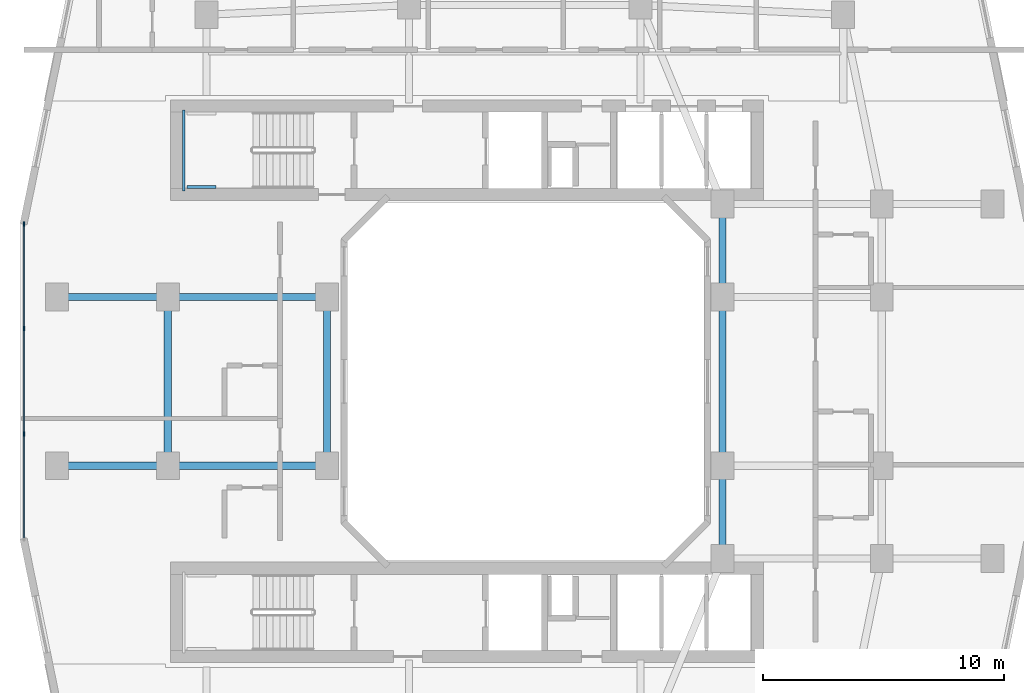
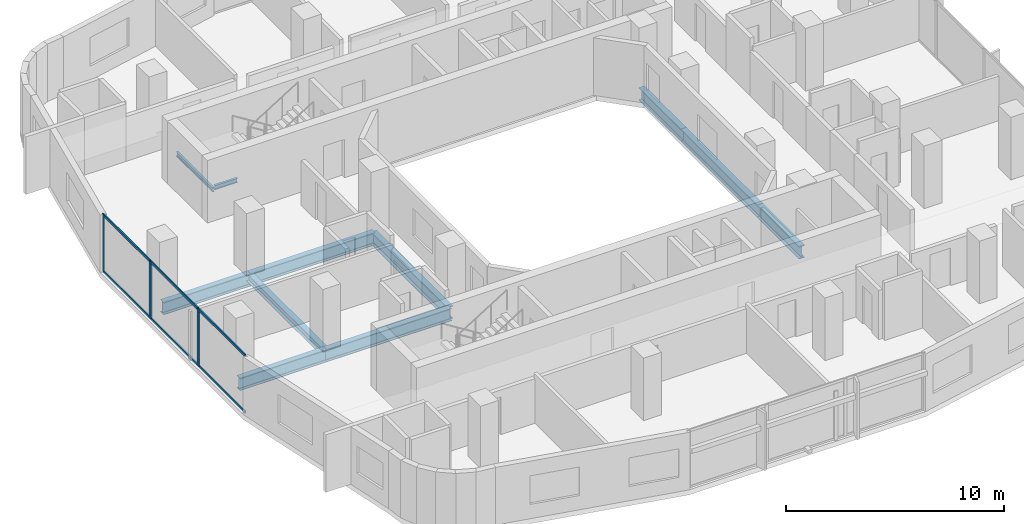
# One storey, part 3 of 27: 11 beams, 9 members, 1 element without a shape of its own.
"""IFC4 building model written with IfcOpenShell, lengths in metres."""

from ifc_helpers import new_model, si_unit, derived_unit, direction, frame, origin, origin_2d, place, context, subcontext, project, spatial, rectangle, i_section, extrude, material, layer, layer_set, material_profile, profile_set, type_object, element, aggregate, save


model = new_model("IFC4")

# Units and contexts
model_context = context("Model", 3, precision=1e-05, world=origin(), true_north=direction((0.0, 1.0)))
body_context = subcontext(model_context, "Body", "Model", "MODEL_VIEW")
ifc_project = project(units=[si_unit("LENGTHUNIT", "METRE"), si_unit("AREAUNIT", "SQUARE_METRE"), si_unit("VOLUMEUNIT", "CUBIC_METRE"), si_unit("PLANEANGLEUNIT", "RADIAN"), si_unit("MASSUNIT", "GRAM", prefix="KILO"), derived_unit("THERMALTRANSMITTANCEUNIT", [(si_unit("POWERUNIT", "WATT"), 1), (si_unit("LENGTHUNIT", "METRE"), -2), (si_unit("THERMODYNAMICTEMPERATUREUNIT", "KELVIN"), -1)])], contexts=[model_context])

# Site, building, storey
site_placement = place(None, origin())
site = spatial("IfcSite", under=ifc_project, at=site_placement, CompositionType="ELEMENT")
building_placement = place(site_placement, origin())
building = spatial("IfcBuilding", under=site, at=building_placement, Name="Kivonza Crest Hotel", CompositionType="ELEMENT")
storey_placement = place(building_placement, frame((0.0, 0.0, 76.5)))
storey = spatial("IfcBuildingStorey", under=building, at=storey_placement, Name="L20", CompositionType="ELEMENT", Elevation=76.5)

# Beams
ifc_material_1 = material(Name="Steel S355", Category="steel")
ifc_material_profile_1 = material_profile(ifc_material_1, i_section(OverallWidth=0.300048828125, OverallDepth=0.449951171875, WebThickness=0.013916015625, FlangeThickness=0.02587890625, FilletRadius=0.027099609375, at=origin_2d()), Name="HEB 450")
ifc_profile_set_1 = profile_set([ifc_material_profile_1], Name="Steel S355")
beam_type_1 = type_object("IfcBeamType", Name="BM-HEB450", PredefinedType="SPANDREL", material=ifc_profile_set_1)
beam_1_placement = place(storey_placement, frame((6.199951171875, 28.5, -0.5048828125), z_axis=(0.0, -1.0, 0.0), x_axis=(1.0, 0.0, 0.0)))
element("IfcBeam", 1, at=beam_1_placement, inside=storey, type_object=beam_type_1, Name="Tower T1 L20 perimeter spandrel W2-W1", PredefinedType="SPANDREL", context=body_context, shape_type="SweptSolid", body=[
    extrude(i_section(OverallWidth=0.300048828125, OverallDepth=0.449951171875, WebThickness=0.013916015625, FlangeThickness=0.02587890625, FilletRadius=0.027099609375, at=origin_2d()), origin(), (0.0, 0.0, 1.0), 7.0),
])
ifc_material_profile_2 = material_profile(ifc_material_1, i_section(OverallWidth=0.300048828125, OverallDepth=0.699951171875, WebThickness=0.01708984375, FlangeThickness=0.031982421875, FilletRadius=0.027099609375, at=origin_2d()), Name="HEB 700")
ifc_profile_set_2 = profile_set([ifc_material_profile_2], Name="Steel S355")
beam_type_2 = type_object("IfcBeamType", Name="BM-HEB700", PredefinedType="BEAM", material=ifc_profile_set_2)
for number, where, z_axis, x_axis, name in (
    (2, (6.199951171875, 21.5, -0.6298828125), (1.0, 0.0, 0.0), (0.0, 1.0, 0.0), "Tower T1 L20 primary girder W1-WL1"),
    (3, (6.199951171875, 28.5, -0.6298828125), (1.0, 0.0, 0.0), (0.0, 1.0, 0.0), "Tower T1 L20 primary girder W2-WL2"),
):
    element("IfcBeam", number, at=place(storey_placement, frame(where, z_axis=z_axis, x_axis=x_axis)), inside=storey, type_object=beam_type_2, Name=name, PredefinedType="BEAM", context=body_context, shape_type="SweptSolid", body=[
        extrude(i_section(OverallWidth=0.300048828125, OverallDepth=0.699951171875, WebThickness=0.01708984375, FlangeThickness=0.031982421875, FilletRadius=0.027099609375, at=origin_2d()), origin(), (0.0, 0.0, 1.0), 6.60009765625),
    ])
for number, where, z_axis, x_axis, name in (
    (4, (12.800048828125, 21.5, -0.6298828125), (0.0, 1.0, 0.0), (-1.0, 0.0, 0.0), "Tower T1 L20 primary girder WL1-WL2"),
    (5, (29.199951171875, 21.5, -0.6298828125), (0.0, 1.0, 0.0), (-1.0, 0.0, 0.0), "Tower T1 L20 primary girder WR1-WR2"),
):
    element("IfcBeam", number, at=place(storey_placement, frame(where, z_axis=z_axis, x_axis=x_axis)), inside=storey, type_object=beam_type_2, Name=name, PredefinedType="BEAM", context=body_context, shape_type="SweptSolid", body=[
        extrude(i_section(OverallWidth=0.300048828125, OverallDepth=0.699951171875, WebThickness=0.01708984375, FlangeThickness=0.031982421875, FilletRadius=0.027099609375, at=origin_2d()), origin(), (0.0, 0.0, 1.0), 7.0),
    ])
for number, where, z_axis, x_axis, name in (
    (6, (29.199951171875, 17.64990234375, -0.6298828125), (0.0, 1.0, 0.0), (-1.0, 0.0, 0.0), "Tower T1 L20 primary girder TSE-WR1"),
    (7, (29.199951171875, 28.5, -0.6298828125), (0.0, 1.0, 0.0), (-1.0, 0.0, 0.0), "Tower T1 L20 primary girder WR2-TNE"),
):
    element("IfcBeam", number, at=place(storey_placement, frame(where, z_axis=z_axis, x_axis=x_axis)), inside=storey, type_object=beam_type_2, Name=name, PredefinedType="BEAM", context=body_context, shape_type="SweptSolid", body=[
        extrude(i_section(OverallWidth=0.300048828125, OverallDepth=0.699951171875, WebThickness=0.01708984375, FlangeThickness=0.031982421875, FilletRadius=0.027099609375, at=origin_2d()), origin(), (0.0, 0.0, 1.0), 3.85009765625),
    ])
for number, where, z_axis, x_axis, name in (
    (8, (1.60009765625, 21.5, -0.6298828125), (1.0, 0.0, 0.0), (0.0, 1.0, 0.0), "Tower T1 L20 outer bay girder ZW1"),
    (9, (1.60009765625, 28.5, -0.6298828125), (1.0, 0.0, 0.0), (0.0, 1.0, 0.0), "Tower T1 L20 outer bay girder ZW2"),
):
    element("IfcBeam", number, at=place(storey_placement, frame(where, z_axis=z_axis, x_axis=x_axis)), inside=storey, type_object=beam_type_2, Name=name, PredefinedType="BEAM", context=body_context, shape_type="SweptSolid", body=[
        extrude(i_section(OverallWidth=0.300048828125, OverallDepth=0.699951171875, WebThickness=0.01708984375, FlangeThickness=0.031982421875, FilletRadius=0.027099609375, at=origin_2d()), origin(), (0.0, 0.0, 1.0), 4.599853515625),
    ])
ifc_material_profile_3 = material_profile(ifc_material_1, i_section(OverallWidth=0.1201171875, OverallDepth=0.239990234375, WebThickness=0.006103515625, FlangeThickness=0.009765625, FilletRadius=0.014892578125, at=origin_2d()), Name="IPE 240")
ifc_profile_set_3 = profile_set([ifc_material_profile_3], Name="Steel S355")
beam_type_3 = type_object("IfcBeamType", Name="BM-LLDG-240", PredefinedType="BEAM", material=ifc_profile_set_3)
beam_2_placement = place(storey_placement, frame((6.860107421875, 32.89990234375, 1.429931640625), z_axis=(0.0, 1.0, 0.0), x_axis=(-1.0, 0.0, 0.0)))
element("IfcBeam", 10, at=beam_2_placement, inside=storey, type_object=beam_type_3, Name="Stair ST-T1-N L20 West landing corbel", PredefinedType="BEAM", context=body_context, shape_type="SweptSolid", body=[
    extrude(i_section(OverallWidth=0.1201171875, OverallDepth=0.239990234375, WebThickness=0.006103515625, FlangeThickness=0.009765625, FilletRadius=0.014892578125, at=origin_2d()), origin(), (0.0, 0.0, 1.0), 3.360107421875),
])
beam_3_placement = place(storey_placement, frame((6.989990234375, 33.06005859375, 1.429931640625), z_axis=(1.0, 0.0, 0.0), x_axis=(0.0, 1.0, 0.0)))
element("IfcBeam", 11, at=beam_3_placement, inside=storey, type_object=beam_type_3, Name="Stair ST-T1-N L20 South landing corbel", PredefinedType="BEAM", context=body_context, shape_type="SweptSolid", body=[
    extrude(i_section(OverallWidth=0.1201171875, OverallDepth=0.239990234375, WebThickness=0.006103515625, FlangeThickness=0.009765625, FilletRadius=0.014892578125, at=origin_2d()), origin(), (0.0, 0.0, 1.0), 1.2099609375),
])

# Curtain wall, members
ifc_material_2 = material(Name="Anodised bronze aluminium and low-E double glazing", Category="aluminium")
ifc_layer = layer(ifc_material_2, 0.179931640625)
ifc_layer_set = layer_set([ifc_layer], Name="Anodised bronze aluminium and low-E double glazing")
curtain_wall_type = type_object("IfcCurtainWallType", Name="CW-SYS-2", PredefinedType="NOTDEFINED", material=ifc_layer_set)
curtain_wall_placement = place(storey_placement, origin())
curtain_wall = element("IfcCurtainWall", 12, at=curtain_wall_placement, inside=storey, type_object=curtain_wall_type, Name="L20 unitised curtain wall CW-T1-L20-35", PredefinedType="NOTDEFINED")
ifc_material_3 = material(Name="Anodised bronze aluminium", Category="aluminium")
ifc_material_profile_4 = material_profile(ifc_material_3, rectangle(XDim=0.06494140625, YDim=0.179931640625, at=origin_2d()), Name="CW-M 65x180")
ifc_profile_set_4 = profile_set([ifc_material_profile_4], Name="Anodised bronze aluminium")
member_type_1 = type_object("IfcMemberType", Name="CW-MUL-65x180", PredefinedType="MULLION", material=ifc_profile_set_4)
member_1_placement = place(storey_placement, frame((0.239990234375, 31.527587890625, 0.0), z_axis=(0.0, 0.0, 1.0), x_axis=(1.0, 0.0, 0.0)))
member_1 = element("IfcMember", 13, at=member_1_placement, type_object=member_type_1, Name="CW-2 mullion 1", PredefinedType="MULLION", context=body_context, shape_type="SweptSolid", body=[
    extrude(rectangle(XDim=0.06494140625, YDim=0.179931640625, at=origin_2d()), origin(), (0.0, 0.0, 1.0), 3.219970703125),
])
member_2_placement = place(storey_placement, frame((0.239990234375, 27.186767578125, 0.0), z_axis=(0.0, 0.0, 1.0), x_axis=(1.0, 0.0, 0.0)))
member_2 = element("IfcMember", 14, at=member_2_placement, type_object=member_type_1, Name="CW-2 mullion 2", PredefinedType="MULLION", context=body_context, shape_type="SweptSolid", body=[
    extrude(rectangle(XDim=0.06494140625, YDim=0.179931640625, at=origin_2d()), origin(), (0.0, 0.0, 1.0), 3.219970703125),
])
member_3_placement = place(storey_placement, frame((0.239990234375, 22.813232421875, 0.0), z_axis=(0.0, 0.0, 1.0), x_axis=(1.0, 0.0, 0.0)))
member_3 = element("IfcMember", 15, at=member_3_placement, type_object=member_type_1, Name="CW-2 mullion 3", PredefinedType="MULLION", context=body_context, shape_type="SweptSolid", body=[
    extrude(rectangle(XDim=0.06494140625, YDim=0.179931640625, at=origin_2d()), origin(), (0.0, 0.0, 1.0), 3.219970703125),
])
ifc_material_profile_5 = material_profile(ifc_material_3, rectangle(XDim=0.06494140625, YDim=0.139892578125, at=origin_2d()), Name="CW-T 65x140")
ifc_profile_set_5 = profile_set([ifc_material_profile_5], Name="Anodised bronze aluminium")
member_type_2 = type_object("IfcMemberType", Name="CW-TRN-65x140", PredefinedType="USERDEFINED", material=ifc_profile_set_5)
member_4_placement = place(storey_placement, frame((0.239990234375, 31.4951171875, 0.032470703125), z_axis=(0.0, -1.0, 0.0), x_axis=(1.0, 0.0, 0.0)))
member_4 = element("IfcMember", 16, at=member_4_placement, type_object=member_type_2, Name="CW-2 transom 1.1", ObjectType="TRANSOM", PredefinedType="USERDEFINED", context=body_context, shape_type="SweptSolid", body=[
    extrude(rectangle(XDim=0.06494140625, YDim=0.139892578125, at=origin_2d()), origin(), (0.0, 0.0, 1.0), 4.27587890625),
])
member_5_placement = place(storey_placement, frame((0.239990234375, 31.4951171875, 3.1875), z_axis=(0.0, -1.0, 0.0), x_axis=(1.0, 0.0, 0.0)))
member_5 = element("IfcMember", 17, at=member_5_placement, type_object=member_type_2, Name="CW-2 transom 1.2", ObjectType="TRANSOM", PredefinedType="USERDEFINED", context=body_context, shape_type="SweptSolid", body=[
    extrude(rectangle(XDim=0.06494140625, YDim=0.139892578125, at=origin_2d()), origin(), (0.0, 0.0, 1.0), 4.27587890625),
])
member_6_placement = place(storey_placement, frame((0.239990234375, 27.154052734375, 0.032470703125), z_axis=(0.0, -1.0, 0.0), x_axis=(1.0, 0.0, 0.0)))
member_6 = element("IfcMember", 18, at=member_6_placement, type_object=member_type_2, Name="CW-2 transom 2.1", ObjectType="TRANSOM", PredefinedType="USERDEFINED", context=body_context, shape_type="SweptSolid", body=[
    extrude(rectangle(XDim=0.06494140625, YDim=0.139892578125, at=origin_2d()), origin(), (0.0, 0.0, 1.0), 4.30810546875),
])
member_7_placement = place(storey_placement, frame((0.239990234375, 27.154052734375, 3.1875), z_axis=(0.0, -1.0, 0.0), x_axis=(1.0, 0.0, 0.0)))
member_7 = element("IfcMember", 19, at=member_7_placement, type_object=member_type_2, Name="CW-2 transom 2.2", ObjectType="TRANSOM", PredefinedType="USERDEFINED", context=body_context, shape_type="SweptSolid", body=[
    extrude(rectangle(XDim=0.06494140625, YDim=0.139892578125, at=origin_2d()), origin(), (0.0, 0.0, 1.0), 4.30810546875),
])
member_8_placement = place(storey_placement, frame((0.239990234375, 22.78076171875, 0.032470703125), z_axis=(0.0, -1.0, 0.0), x_axis=(1.0, 0.0, 0.0)))
member_8 = element("IfcMember", 20, at=member_8_placement, type_object=member_type_2, Name="CW-2 transom 3.1", ObjectType="TRANSOM", PredefinedType="USERDEFINED", context=body_context, shape_type="SweptSolid", body=[
    extrude(rectangle(XDim=0.06494140625, YDim=0.139892578125, at=origin_2d()), origin(), (0.0, 0.0, 1.0), 4.27587890625),
])
member_9_placement = place(storey_placement, frame((0.239990234375, 22.78076171875, 3.1875), z_axis=(0.0, -1.0, 0.0), x_axis=(1.0, 0.0, 0.0)))
member_9 = element("IfcMember", 21, at=member_9_placement, type_object=member_type_2, Name="CW-2 transom 3.2", ObjectType="TRANSOM", PredefinedType="USERDEFINED", context=body_context, shape_type="SweptSolid", body=[
    extrude(rectangle(XDim=0.06494140625, YDim=0.139892578125, at=origin_2d()), origin(), (0.0, 0.0, 1.0), 4.27587890625),
])
aggregate(curtain_wall, [member_1, member_2, member_3, member_4, member_5, member_6, member_7, member_8, member_9])

save(model, "model.ifc")
